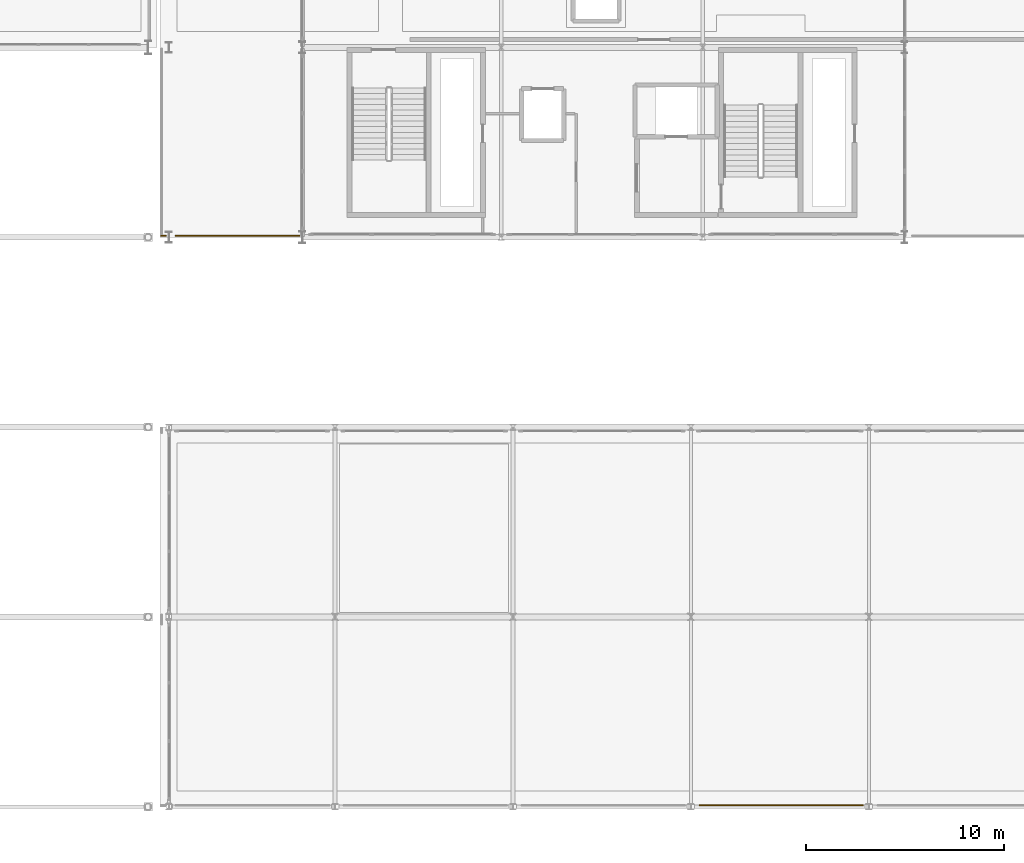
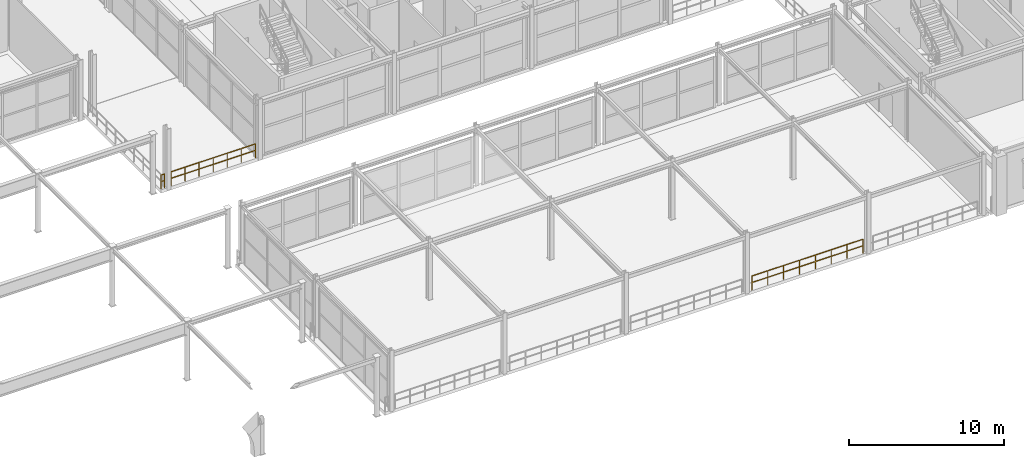
# One storey, part 97 of 125: 3 railings.
"""IFC4 building model written with IfcOpenShell, lengths in metres."""

from ifc_helpers import new_model, si_unit, direction, frame, origin, origin_2d, place, context, subcontext, project, spatial, rectangle, extrude, material, type_object, element, save


model = new_model("IFC4")

# Units and contexts
model_context = context("Model", 3, precision=1e-05, world=origin(), true_north=direction((0.0, 1.0)))
body_context = subcontext(model_context, "Body", "Model", "MODEL_VIEW")
ifc_project = project(units=[si_unit("LENGTHUNIT", "METRE"), si_unit("AREAUNIT", "SQUARE_METRE"), si_unit("VOLUMEUNIT", "CUBIC_METRE"), si_unit("PLANEANGLEUNIT", "RADIAN"), si_unit("MASSUNIT", "GRAM", prefix="KILO")], contexts=[model_context])

# Site, building, storey
site_placement = place(None, origin())
site = spatial("IfcSite", under=ifc_project, at=site_placement, CompositionType="ELEMENT")
building_placement = place(site_placement, origin())
building = spatial("IfcBuilding", under=site, at=building_placement, Name="Myrtia Square Station", CompositionType="ELEMENT")
storey_placement = place(building_placement, frame((0.0, 0.0, 6.0)))
storey = spatial("IfcBuildingStorey", under=building, at=storey_placement, Name="L01", CompositionType="ELEMENT", Elevation=6.0)

# Railings
ifc_material = material(Name="Wrought iron", Category="steel")
railing_type = type_object("IfcRailingType", Name="RL-INT-GUARD-1100", PredefinedType="BALUSTRADE", material=ifc_material)
railing_1_placement = place(storey_placement, frame((72.199951171875, 28.8798828125, 0.0)))
element("IfcRailing", 1, at=railing_1_placement, inside=storey, type_object=railing_type, Name="Perimeter slab edge balustrade L01-007", PredefinedType="BALUSTRADE", context=body_context, shape_type="SweptSolid", body=[
    extrude(rectangle(XDim=0.048095703125, YDim=0.048095703125, at=origin_2d()), frame((0.03466796875, 0.0, 1.09619140625), z_axis=(1.0, 0.0, 0.0), x_axis=(0.0, 1.0, 0.0)), (0.0, 0.0, 1.0), 0.1806640625),
    extrude(rectangle(XDim=0.048095703125, YDim=0.048095703125, at=origin_2d()), frame((0.03466796875, 0.0, 0.58251953125), z_axis=(1.0, 0.0, 0.0), x_axis=(0.0, 1.0, 0.0)), (0.0, 0.0, 1.0), 0.1806640625),
    extrude(rectangle(XDim=0.0439453125, YDim=0.0439453125, at=origin_2d()), origin(), (0.0, 0.0, 1.0), 1.1201171875),
    extrude(rectangle(XDim=0.0439453125, YDim=0.0439453125, at=origin_2d()), frame((0.25, 0.0, 0.0)), (0.0, 0.0, 1.0), 1.1201171875),
])
railing_2_placement = place(storey_placement, frame((72.949951171875, 28.8798828125, 0.0)))
element("IfcRailing", 2, at=railing_2_placement, inside=storey, type_object=railing_type, Name="Perimeter slab edge balustrade L01-008", PredefinedType="BALUSTRADE", context=body_context, shape_type="SweptSolid", body=[
    extrude(rectangle(XDim=0.048095703125, YDim=0.048095703125, at=origin_2d()), frame((0.03466796875, 0.0, 1.09619140625), z_axis=(1.0, 0.0, 0.0), x_axis=(0.0, 1.0, 0.0)), (0.0, 0.0, 1.0), 0.972412109375),
    extrude(rectangle(XDim=0.048095703125, YDim=0.048095703125, at=origin_2d()), frame((0.03466796875, 0.0, 0.58251953125), z_axis=(1.0, 0.0, 0.0), x_axis=(0.0, 1.0, 0.0)), (0.0, 0.0, 1.0), 0.972412109375),
    extrude(rectangle(XDim=0.048095703125, YDim=0.048095703125, at=origin_2d()), frame((1.076416015625, 0.0, 1.09619140625), z_axis=(1.0, 0.0, 0.0), x_axis=(0.0, 1.0, 0.0)), (0.0, 0.0, 1.0), 0.972412109375),
    extrude(rectangle(XDim=0.048095703125, YDim=0.048095703125, at=origin_2d()), frame((1.076416015625, 0.0, 0.58251953125), z_axis=(1.0, 0.0, 0.0), x_axis=(0.0, 1.0, 0.0)), (0.0, 0.0, 1.0), 0.972412109375),
    extrude(rectangle(XDim=0.048095703125, YDim=0.048095703125, at=origin_2d()), frame((2.117919921875, 0.0, 1.09619140625), z_axis=(1.0, 0.0, 0.0), x_axis=(0.0, 1.0, 0.0)), (0.0, 0.0, 1.0), 0.972412109375),
    extrude(rectangle(XDim=0.048095703125, YDim=0.048095703125, at=origin_2d()), frame((2.117919921875, 0.0, 0.58251953125), z_axis=(1.0, 0.0, 0.0), x_axis=(0.0, 1.0, 0.0)), (0.0, 0.0, 1.0), 0.972412109375),
    extrude(rectangle(XDim=0.048095703125, YDim=0.048095703125, at=origin_2d()), frame((3.15966796875, 0.0, 1.09619140625), z_axis=(1.0, 0.0, 0.0), x_axis=(0.0, 1.0, 0.0)), (0.0, 0.0, 1.0), 0.972412109375),
    extrude(rectangle(XDim=0.048095703125, YDim=0.048095703125, at=origin_2d()), frame((3.15966796875, 0.0, 0.58251953125), z_axis=(1.0, 0.0, 0.0), x_axis=(0.0, 1.0, 0.0)), (0.0, 0.0, 1.0), 0.972412109375),
    extrude(rectangle(XDim=0.048095703125, YDim=0.048095703125, at=origin_2d()), frame((4.201416015625, 0.0, 1.09619140625), z_axis=(1.0, 0.0, 0.0), x_axis=(0.0, 1.0, 0.0)), (0.0, 0.0, 1.0), 0.972412109375),
    extrude(rectangle(XDim=0.048095703125, YDim=0.048095703125, at=origin_2d()), frame((4.201416015625, 0.0, 0.58251953125), z_axis=(1.0, 0.0, 0.0), x_axis=(0.0, 1.0, 0.0)), (0.0, 0.0, 1.0), 0.972412109375),
    extrude(rectangle(XDim=0.048095703125, YDim=0.048095703125, at=origin_2d()), frame((5.242919921875, 0.0, 1.09619140625), z_axis=(1.0, 0.0, 0.0), x_axis=(0.0, 1.0, 0.0)), (0.0, 0.0, 1.0), 0.972412109375),
    extrude(rectangle(XDim=0.048095703125, YDim=0.048095703125, at=origin_2d()), frame((5.242919921875, 0.0, 0.58251953125), z_axis=(1.0, 0.0, 0.0), x_axis=(0.0, 1.0, 0.0)), (0.0, 0.0, 1.0), 0.972412109375),
    extrude(rectangle(XDim=0.0439453125, YDim=0.0439453125, at=origin_2d()), origin(), (0.0, 0.0, 1.0), 1.1201171875),
    extrude(rectangle(XDim=0.0439453125, YDim=0.0439453125, at=origin_2d()), frame((1.041748046875, 0.0, 0.0)), (0.0, 0.0, 1.0), 1.1201171875),
    extrude(rectangle(XDim=0.0439453125, YDim=0.0439453125, at=origin_2d()), frame((2.083251953125, 0.0, 0.0)), (0.0, 0.0, 1.0), 1.1201171875),
    extrude(rectangle(XDim=0.0439453125, YDim=0.0439453125, at=origin_2d()), frame((3.125, 0.0, 0.0)), (0.0, 0.0, 1.0), 1.1201171875),
    extrude(rectangle(XDim=0.0439453125, YDim=0.0439453125, at=origin_2d()), frame((4.166748046875, 0.0, 0.0)), (0.0, 0.0, 1.0), 1.1201171875),
    extrude(rectangle(XDim=0.0439453125, YDim=0.0439453125, at=origin_2d()), frame((5.208251953125, 0.0, 0.0)), (0.0, 0.0, 1.0), 1.1201171875),
    extrude(rectangle(XDim=0.0439453125, YDim=0.0439453125, at=origin_2d()), frame((6.25, 0.0, 0.0)), (0.0, 0.0, 1.0), 1.1201171875),
])
railing_3_placement = place(storey_placement, frame((99.449951171875, 0.080078125, 0.0)))
element("IfcRailing", 3, at=railing_3_placement, inside=storey, type_object=railing_type, Name="Perimeter slab edge balustrade L01-032", PredefinedType="BALUSTRADE", context=body_context, shape_type="SweptSolid", body=[
    extrude(rectangle(XDim=0.048095703125, YDim=0.048095703125, at=origin_2d()), frame((0.03466796875, 0.0, 1.09619140625), z_axis=(1.0, 0.0, 0.0), x_axis=(0.0, 1.0, 0.0)), (0.0, 0.0, 1.0), 1.109375),
    extrude(rectangle(XDim=0.048095703125, YDim=0.048095703125, at=origin_2d()), frame((0.03466796875, 0.0, 0.58251953125), z_axis=(1.0, 0.0, 0.0), x_axis=(0.0, 1.0, 0.0)), (0.0, 0.0, 1.0), 1.109375),
    extrude(rectangle(XDim=0.048095703125, YDim=0.048095703125, at=origin_2d()), frame((1.213134765625, 0.0, 1.09619140625), z_axis=(1.0, 0.0, 0.0), x_axis=(0.0, 1.0, 0.0)), (0.0, 0.0, 1.0), 1.109375),
    extrude(rectangle(XDim=0.048095703125, YDim=0.048095703125, at=origin_2d()), frame((1.213134765625, 0.0, 0.58251953125), z_axis=(1.0, 0.0, 0.0), x_axis=(0.0, 1.0, 0.0)), (0.0, 0.0, 1.0), 1.109375),
    extrude(rectangle(XDim=0.048095703125, YDim=0.048095703125, at=origin_2d()), frame((2.391845703125, 0.0, 1.09619140625), z_axis=(1.0, 0.0, 0.0), x_axis=(0.0, 1.0, 0.0)), (0.0, 0.0, 1.0), 1.109375),
    extrude(rectangle(XDim=0.048095703125, YDim=0.048095703125, at=origin_2d()), frame((2.391845703125, 0.0, 0.58251953125), z_axis=(1.0, 0.0, 0.0), x_axis=(0.0, 1.0, 0.0)), (0.0, 0.0, 1.0), 1.109375),
    extrude(rectangle(XDim=0.048095703125, YDim=0.048095703125, at=origin_2d()), frame((3.5703125, 0.0, 1.09619140625), z_axis=(1.0, 0.0, 0.0), x_axis=(0.0, 1.0, 0.0)), (0.0, 0.0, 1.0), 1.109375),
    extrude(rectangle(XDim=0.048095703125, YDim=0.048095703125, at=origin_2d()), frame((3.5703125, 0.0, 0.58251953125), z_axis=(1.0, 0.0, 0.0), x_axis=(0.0, 1.0, 0.0)), (0.0, 0.0, 1.0), 1.109375),
    extrude(rectangle(XDim=0.048095703125, YDim=0.048095703125, at=origin_2d()), frame((4.7490234375, 0.0, 1.09619140625), z_axis=(1.0, 0.0, 0.0), x_axis=(0.0, 1.0, 0.0)), (0.0, 0.0, 1.0), 1.109375),
    extrude(rectangle(XDim=0.048095703125, YDim=0.048095703125, at=origin_2d()), frame((4.7490234375, 0.0, 0.58251953125), z_axis=(1.0, 0.0, 0.0), x_axis=(0.0, 1.0, 0.0)), (0.0, 0.0, 1.0), 1.109375),
    extrude(rectangle(XDim=0.048095703125, YDim=0.048095703125, at=origin_2d()), frame((5.927490234375, 0.0, 1.09619140625), z_axis=(1.0, 0.0, 0.0), x_axis=(0.0, 1.0, 0.0)), (0.0, 0.0, 1.0), 1.109375),
    extrude(rectangle(XDim=0.048095703125, YDim=0.048095703125, at=origin_2d()), frame((5.927490234375, 0.0, 0.58251953125), z_axis=(1.0, 0.0, 0.0), x_axis=(0.0, 1.0, 0.0)), (0.0, 0.0, 1.0), 1.109375),
    extrude(rectangle(XDim=0.048095703125, YDim=0.048095703125, at=origin_2d()), frame((7.10595703125, 0.0, 1.09619140625), z_axis=(1.0, 0.0, 0.0), x_axis=(0.0, 1.0, 0.0)), (0.0, 0.0, 1.0), 1.109375),
    extrude(rectangle(XDim=0.048095703125, YDim=0.048095703125, at=origin_2d()), frame((7.10595703125, 0.0, 0.58251953125), z_axis=(1.0, 0.0, 0.0), x_axis=(0.0, 1.0, 0.0)), (0.0, 0.0, 1.0), 1.109375),
    extrude(rectangle(XDim=0.0439453125, YDim=0.0439453125, at=origin_2d()), origin(), (0.0, 0.0, 1.0), 1.1201171875),
    extrude(rectangle(XDim=0.0439453125, YDim=0.0439453125, at=origin_2d()), frame((1.178466796875, 0.0, 0.0)), (0.0, 0.0, 1.0), 1.1201171875),
    extrude(rectangle(XDim=0.0439453125, YDim=0.0439453125, at=origin_2d()), frame((2.357177734375, 0.0, 0.0)), (0.0, 0.0, 1.0), 1.1201171875),
    extrude(rectangle(XDim=0.0439453125, YDim=0.0439453125, at=origin_2d()), frame((3.53564453125, 0.0, 0.0)), (0.0, 0.0, 1.0), 1.1201171875),
    extrude(rectangle(XDim=0.0439453125, YDim=0.0439453125, at=origin_2d()), frame((4.71435546875, 0.0, 0.0)), (0.0, 0.0, 1.0), 1.1201171875),
    extrude(rectangle(XDim=0.0439453125, YDim=0.0439453125, at=origin_2d()), frame((5.892822265625, 0.0, 0.0)), (0.0, 0.0, 1.0), 1.1201171875),
    extrude(rectangle(XDim=0.0439453125, YDim=0.0439453125, at=origin_2d()), frame((7.071533203125, 0.0, 0.0)), (0.0, 0.0, 1.0), 1.1201171875),
    extrude(rectangle(XDim=0.0439453125, YDim=0.0439453125, at=origin_2d()), frame((8.25, 0.0, 0.0)), (0.0, 0.0, 1.0), 1.1201171875),
])

save(model, "model.ifc")
